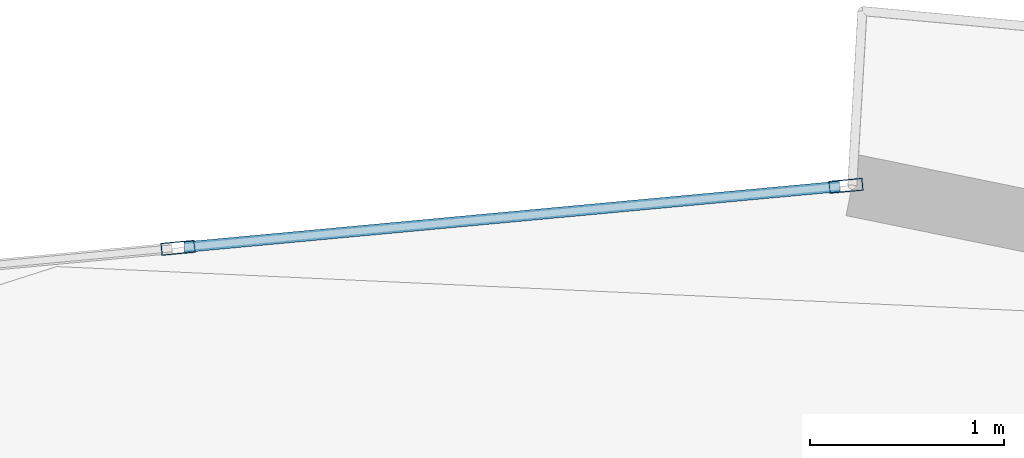
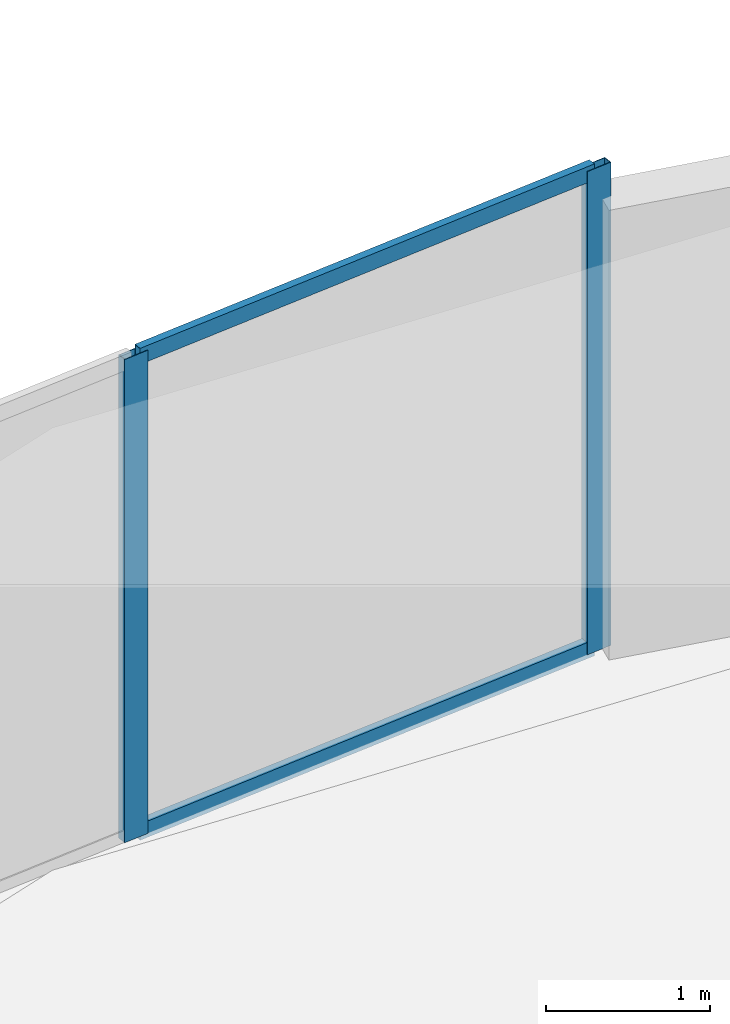
# One storey, part 18 of 25: 4 members, 1 element without a shape of its own.
"""IFC4 building model written with IfcOpenShell, lengths in metres."""

from ifc_helpers import new_model, si_unit, direction, frame, origin, origin_2d, place, context, subcontext, project, spatial, hollow_rectangle, extrude, source, transform, mapped, material, layer, layer_set, material_profile, profile_set, type_object, element, aggregate, save


model = new_model("IFC4")

# Units and contexts
model_context = context("Model", 3, precision=1e-05, world=origin(), true_north=direction((0.0, 1.0)))
body_context = subcontext(model_context, "Body", "Model", "MODEL_VIEW")
ifc_project = project(units=[si_unit("LENGTHUNIT", "METRE"), si_unit("AREAUNIT", "SQUARE_METRE"), si_unit("VOLUMEUNIT", "CUBIC_METRE"), si_unit("PLANEANGLEUNIT", "RADIAN"), si_unit("MASSUNIT", "GRAM", prefix="KILO")], contexts=[model_context])

# Site, building, storey
site_placement = place(None, origin())
site = spatial("IfcSite", under=ifc_project, at=site_placement, CompositionType="ELEMENT")
building_placement = place(site_placement, origin())
building = spatial("IfcBuilding", under=site, at=building_placement, Name="Solvirekh Grand Hotel", CompositionType="ELEMENT")
storey_placement = place(building_placement, frame((0.0, 0.0, 117.0)))
storey = spatial("IfcBuildingStorey", under=building, at=storey_placement, Name="L29", CompositionType="ELEMENT", Elevation=117.0)

# Curtain wall, members
ifc_material = material(Name="Anodized Bronze Aluminium 6063-T6", Category="aluminium")
ifc_layer = layer(ifc_material, 0.175048828125)
ifc_layer_set = layer_set([ifc_layer], Name="Anodized Bronze Aluminium 6063-T6")
curtain_wall_type = type_object("IfcCurtainWallType", Name="CW_Sys3_MidZoneFlushBronzeCW", PredefinedType="NOTDEFINED", material=ifc_layer_set)
curtain_wall_placement = place(storey_placement, origin())
curtain_wall = element("IfcCurtainWall", 1, at=curtain_wall_placement, inside=storey, type_object=curtain_wall_type, Name="L29 unitised bronze-glass curtain wall CW-L29-C08", PredefinedType="NOTDEFINED")
ifc_material_profile_1 = material_profile(ifc_material, hollow_rectangle(XDim=0.06494140625, YDim=0.175048828125, WallThickness=0.0048828125, at=origin_2d()), Name="ALU RHS 175X65X5")
ifc_profile_set_1 = profile_set([ifc_material_profile_1], Name="Anodized Bronze Aluminium 6063-T6")
member_type_1 = type_object("IfcMemberType", Name="CWMullion_Sys3", PredefinedType="MULLION", material=ifc_profile_set_1)
shared_shape_1 = source(origin(), body_context, "Body", "SweptSolid", [
    extrude(hollow_rectangle(XDim=0.06494140625, YDim=0.175048828125, WallThickness=0.0048828125, at=origin_2d()), origin(), (0.0, 0.0, 1.0), 3.60009765625),
])
member_1_placement = place(storey_placement, frame((-3.62744140625, 21.573974609375, 0.0), z_axis=(0.0, 0.0, 1.0), x_axis=(0.092418859404, -0.99572021895, 0.0)))
member_1 = element("IfcMember", 2, at=member_1_placement, type_object=member_type_1, Name="U03 mullion 1", PredefinedType="MULLION", context=body_context, shape_type="MappedRepresentation", body=[
    mapped(shared_shape_1, transform((0.0, 0.0, 0.0), x_axis=(1.0, 0.0, 0.0), y_axis=(0.0, 1.0, 0.0), z_axis=(0.0, 0.0, 1.0), scale=1.0)),
])
member_2_placement = place(storey_placement, frame((-7.074951171875, 21.25390625, 0.0), z_axis=(0.0, 0.0, 1.0), x_axis=(0.092418859404, -0.99572021895, 0.0)))
member_2 = element("IfcMember", 3, at=member_2_placement, type_object=member_type_1, Name="U03 mullion 2", PredefinedType="MULLION", context=body_context, shape_type="MappedRepresentation", body=[
    mapped(shared_shape_1, transform((0.0, 0.0, 0.0), x_axis=(1.0, 0.0, 0.0), y_axis=(0.0, 1.0, 0.0), z_axis=(0.0, 0.0, 1.0), scale=1.0)),
])
ifc_material_profile_2 = material_profile(ifc_material, hollow_rectangle(XDim=0.054931640625, YDim=0.1201171875, WallThickness=0.00390625, at=origin_2d()), Name="ALU RHS 120X55X4")
ifc_profile_set_2 = profile_set([ifc_material_profile_2], Name="Anodized Bronze Aluminium 6063-T6")
member_type_2 = type_object("IfcMemberType", Name="CWTransom_Sys3", PredefinedType="USERDEFINED", material=ifc_profile_set_2)
shared_shape_2 = source(origin(), body_context, "Body", "SweptSolid", [
    extrude(hollow_rectangle(XDim=0.054931640625, YDim=0.1201171875, WallThickness=0.00390625, at=origin_2d()), origin(), (0.0, 0.0, 1.0), 3.397705078125),
])
member_3_placement = place(storey_placement, frame((-3.65966796875, 21.571044921875, 0.027587890625), z_axis=(-0.995721227869, -0.092407988673, 0.0), x_axis=(0.092407988673, -0.995721227869, 0.0)))
member_3 = element("IfcMember", 4, at=member_3_placement, type_object=member_type_2, Name="U03 transom 1.1", ObjectType="TRANSOM", PredefinedType="USERDEFINED", context=body_context, shape_type="MappedRepresentation", body=[
    mapped(shared_shape_2, transform((0.0, 0.0, 0.0), x_axis=(1.0, 0.0, 0.0), y_axis=(0.0, 1.0, 0.0), z_axis=(0.0, 0.0, 1.0), scale=1.0)),
])
member_4_placement = place(storey_placement, frame((-3.65966796875, 21.571044921875, 3.572509765625), z_axis=(-0.995721227869, -0.092407988673, 0.0), x_axis=(0.092407988673, -0.995721227869, 0.0)))
member_4 = element("IfcMember", 5, at=member_4_placement, type_object=member_type_2, Name="U03 transom 1.2", ObjectType="TRANSOM", PredefinedType="USERDEFINED", context=body_context, shape_type="MappedRepresentation", body=[
    mapped(shared_shape_2, transform((0.0, 0.0, 0.0), x_axis=(1.0, 0.0, 0.0), y_axis=(0.0, 1.0, 0.0), z_axis=(0.0, 0.0, 1.0), scale=1.0)),
])
aggregate(curtain_wall, [member_1, member_2, member_3, member_4])

save(model, "model.ifc")
